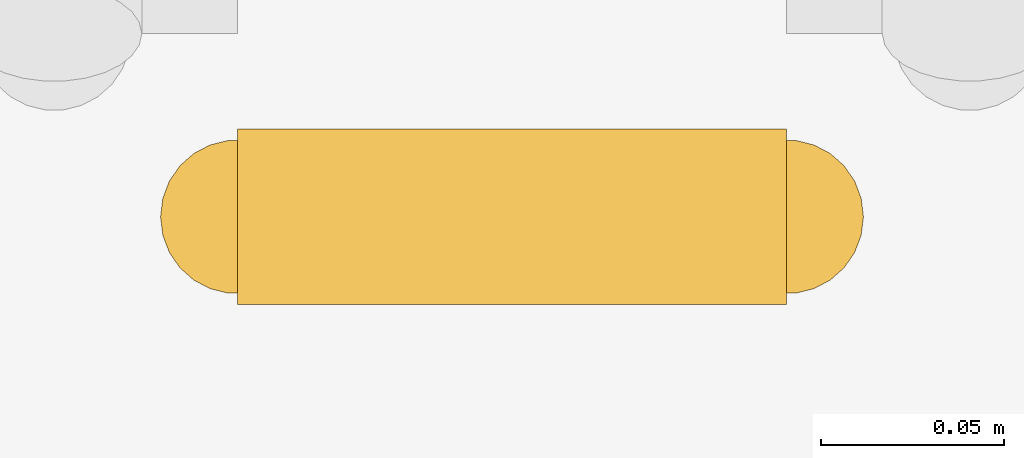
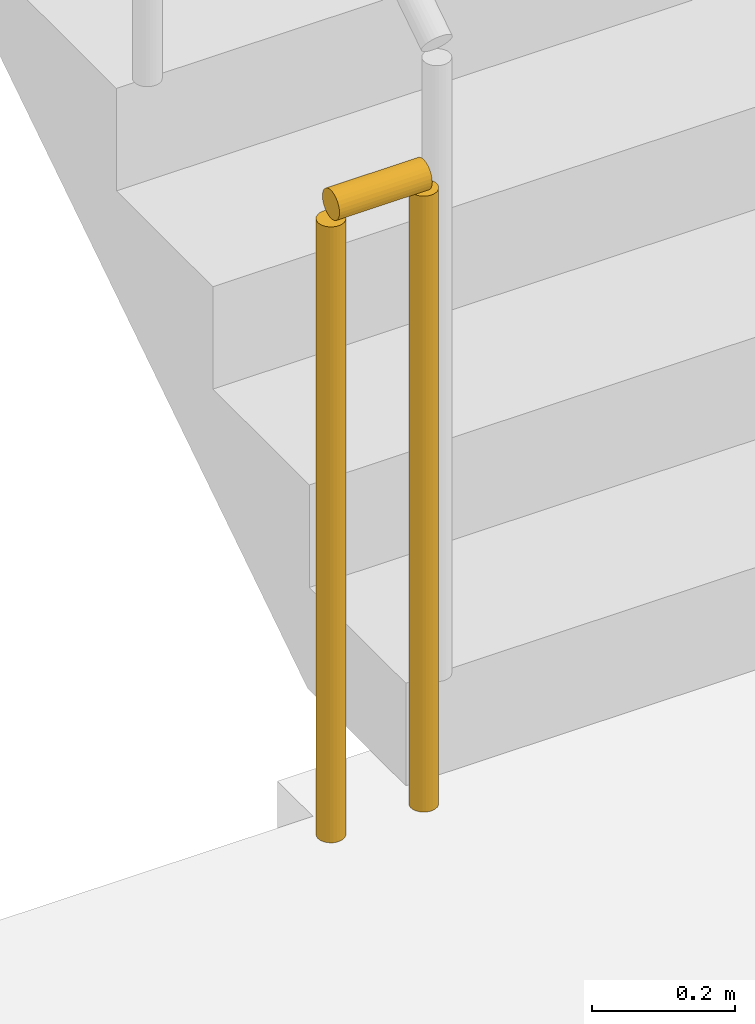
# One storey, part 17 of 20: 1 railing.
"""IFC4 building model written with IfcOpenShell, lengths in metres."""

from ifc_helpers import new_model, si_unit, direction, frame, origin, origin_2d, place, context, subcontext, project, spatial, circle, extrude, material, type_object, element, save


model = new_model("IFC4")

# Units and contexts
model_context = context("Model", 3, precision=1e-05, world=origin(), true_north=direction((0.0, 1.0)))
body_context = subcontext(model_context, "Body", "Model", "MODEL_VIEW")
ifc_project = project(units=[si_unit("LENGTHUNIT", "METRE"), si_unit("AREAUNIT", "SQUARE_METRE"), si_unit("VOLUMEUNIT", "CUBIC_METRE"), si_unit("PLANEANGLEUNIT", "RADIAN"), si_unit("MASSUNIT", "GRAM", prefix="KILO")], contexts=[model_context])

# Site, building, storey
site_placement = place(None, origin())
site = spatial("IfcSite", under=ifc_project, at=site_placement, CompositionType="ELEMENT")
building_placement = place(site_placement, origin())
building = spatial("IfcBuilding", under=site, at=building_placement, Name="Saffron Iwan Residences", CompositionType="ELEMENT")
storey_placement = place(building_placement, frame((0.0, 0.0, 188.5)))
storey = spatial("IfcBuildingStorey", under=building, at=storey_placement, Name="L50", CompositionType="ELEMENT", Elevation=188.5)

# Railing
ifc_material = material(Name="Steel S355", Category="steel")
railing_type = type_object("IfcRailingType", Name="Stair guard 1100", PredefinedType="GUARDRAIL", material=ifc_material)
railing_placement = place(storey_placement, frame((69.699951171875, 67.800048828125, 0.0)))
element("IfcRailing", 1, at=railing_placement, inside=storey, type_object=railing_type, Name="L50 ST-E stair guard 2", PredefinedType="GUARDRAIL", context=body_context, shape_type="SweptSolid", body=[
    extrude(circle(Radius=0.02392578125, at=origin_2d()), frame((0.0, 0.0, 1.076171875), z_axis=(-1.0, 0.0, 0.0), x_axis=(0.0, -1.0, 0.0)), (0.0, 0.0, 1.0), 0.14990234375),
    extrude(circle(Radius=0.02099609375, at=origin_2d()), origin(), (0.0, 0.0, 1.0), 1.052001953125),
    extrude(circle(Radius=0.02099609375, at=origin_2d()), frame((-0.14990234375, 0.0, 0.0)), (0.0, 0.0, 1.0), 1.052001953125),
])

save(model, "model.ifc")
